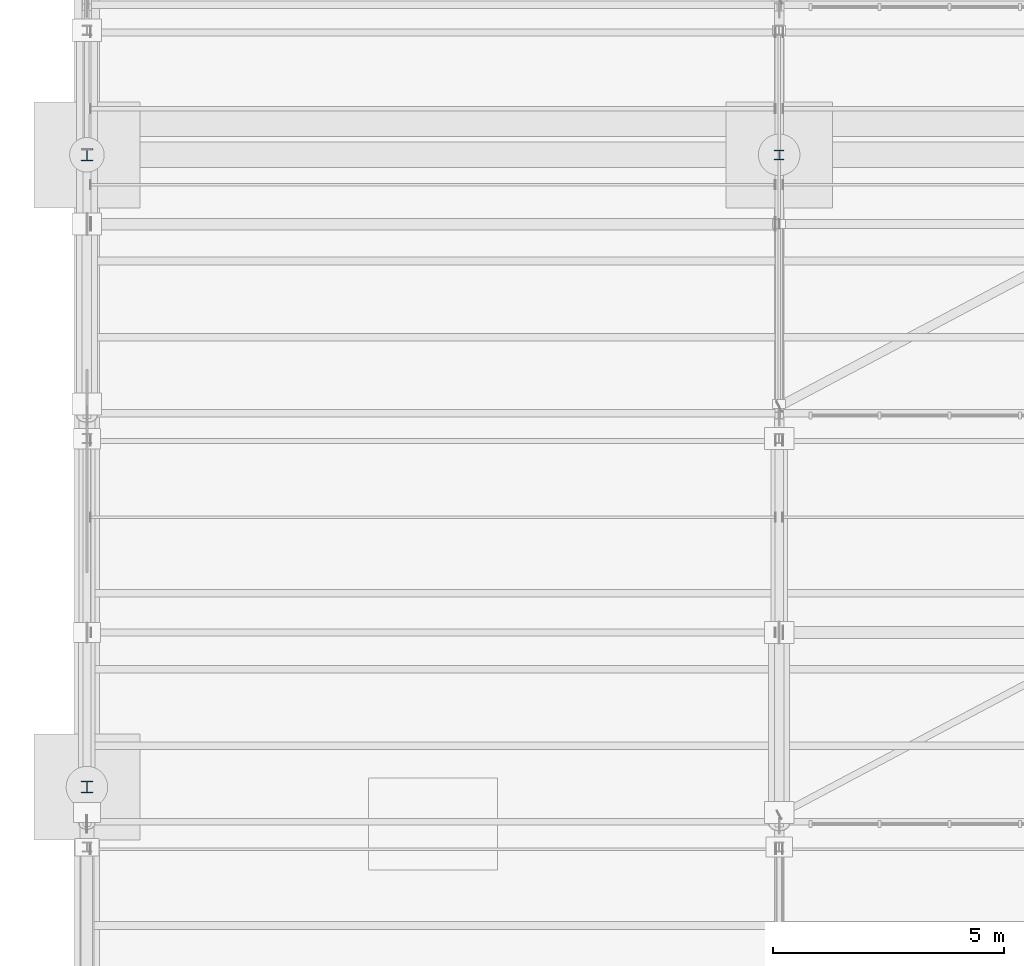
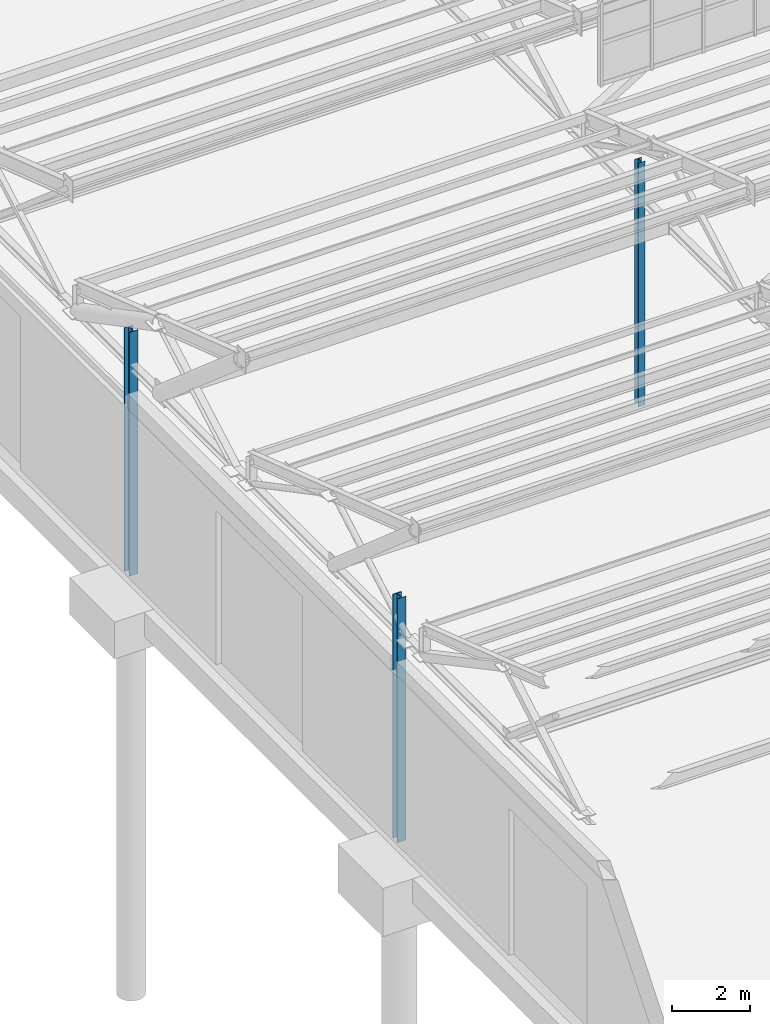
# One storey, part 21 of 285: 3 columns.
"""IFC4 building model written with IfcOpenShell, lengths in metres."""

from ifc_helpers import new_model, si_unit, direction, frame, origin, origin_2d, place, context, subcontext, project, spatial, i_section, extrude, material, material_profile, profile_set, type_object, element, save


model = new_model("IFC4")

# Units and contexts
model_context = context("Model", 3, precision=1e-05, world=origin(), true_north=direction((0.0, 1.0)))
body_context = subcontext(model_context, "Body", "Model", "MODEL_VIEW")
ifc_project = project(units=[si_unit("LENGTHUNIT", "METRE"), si_unit("AREAUNIT", "SQUARE_METRE"), si_unit("VOLUMEUNIT", "CUBIC_METRE"), si_unit("PLANEANGLEUNIT", "RADIAN"), si_unit("MASSUNIT", "GRAM", prefix="KILO")], contexts=[model_context])

# Site, building, storey
site_placement = place(None, origin())
site = spatial("IfcSite", under=ifc_project, at=site_placement, CompositionType="ELEMENT")
building_placement = place(site_placement, origin())
building = spatial("IfcBuilding", under=site, at=building_placement, Name="Solanera Park Tramway Depot", CompositionType="ELEMENT")
storey_placement = place(building_placement, origin())
storey = spatial("IfcBuildingStorey", under=building, at=storey_placement, Name="L00", CompositionType="ELEMENT", Elevation=0.0)

# Columns
ifc_material_1 = material(Name="Steel AS/NZS 3679.1 Grade 350", Category="steel")
ifc_material_profile_1 = material_profile(ifc_material_1, i_section(OverallWidth=0.25390625, OverallDepth=0.25390625, WebThickness=0.008544921875, FlangeThickness=0.01416015625, at=origin_2d()), Name="250UC72.9")
ifc_profile_set_1 = profile_set([ifc_material_profile_1], Name="Steel AS/NZS 3679.1 Grade 350")
column_type_1 = type_object("IfcColumnType", Name="Steel Column Ext 250UC72.9", PredefinedType="COLUMN", material=ifc_profile_set_1)
column_1_placement = place(storey_placement, frame((0.0, 100.800048828125, 0.0), z_axis=(0.0, 0.0, 1.0), x_axis=(1.0, 0.0, 0.0)))
element("IfcColumn", 1, at=column_1_placement, inside=storey, type_object=column_type_1, Name="L00 Column V1S-X0-Y1008", PredefinedType="COLUMN", context=body_context, shape_type="SweptSolid", body=[
    extrude(i_section(OverallWidth=0.25390625, OverallDepth=0.25390625, WebThickness=0.008544921875, FlangeThickness=0.01416015625, at=origin_2d()), origin(), (0.0, 0.0, 1.0), 7.60009765625),
])
ifc_material_2 = material(Name="Steel AS/NZS 3679.1 Grade 350", Category="steel")
ifc_material_profile_2 = material_profile(ifc_material_2, i_section(OverallWidth=0.255615234375, OverallDepth=0.260009765625, WebThickness=0.010498046875, FlangeThickness=0.017333984375, at=origin_2d()), Name="250UC89.5")
ifc_profile_set_2 = profile_set([ifc_material_profile_2], Name="Steel AS/NZS 3679.1 Grade 350")
column_type_2 = type_object("IfcColumnType", Name="Steel Column Ext 250UC89.5", PredefinedType="COLUMN", material=ifc_profile_set_2)
column_2_placement = place(storey_placement, frame((0.0, 114.5, 0.0), z_axis=(0.0, 0.0, 1.0), x_axis=(1.0, 0.0, 0.0)))
element("IfcColumn", 2, at=column_2_placement, inside=storey, type_object=column_type_2, Name="L00 Column V1-X0-Y1145", PredefinedType="COLUMN", context=body_context, shape_type="SweptSolid", body=[
    extrude(i_section(OverallWidth=0.255615234375, OverallDepth=0.260009765625, WebThickness=0.010498046875, FlangeThickness=0.017333984375, at=origin_2d()), origin(), (0.0, 0.0, 1.0), 7.60009765625),
])
ifc_material_3 = material(Name="Steel AS/NZS 3679.1 Grade 350", Category="steel")
ifc_material_profile_3 = material_profile(ifc_material_3, i_section(OverallWidth=0.203369140625, OverallDepth=0.203369140625, WebThickness=0.00732421875, FlangeThickness=0.010986328125, at=origin_2d()), Name="200UC46.2")
ifc_profile_set_3 = profile_set([ifc_material_profile_3], Name="Steel AS/NZS 3679.1 Grade 350")
column_type_3 = type_object("IfcColumnType", Name="Steel Column Int 200UC46.2", PredefinedType="COLUMN", material=ifc_profile_set_3)
column_3_placement = place(storey_placement, frame((15.0, 114.5, 0.0), z_axis=(0.0, 0.0, 1.0), x_axis=(1.0, 0.0, 0.0)))
element("IfcColumn", 3, at=column_3_placement, inside=storey, type_object=column_type_3, Name="L00 Column V1-X150-Y1145", PredefinedType="COLUMN", context=body_context, shape_type="SweptSolid", body=[
    extrude(i_section(OverallWidth=0.203369140625, OverallDepth=0.203369140625, WebThickness=0.00732421875, FlangeThickness=0.010986328125, at=origin_2d()), origin(), (0.0, 0.0, 1.0), 7.60009765625),
])

save(model, "model.ifc")
